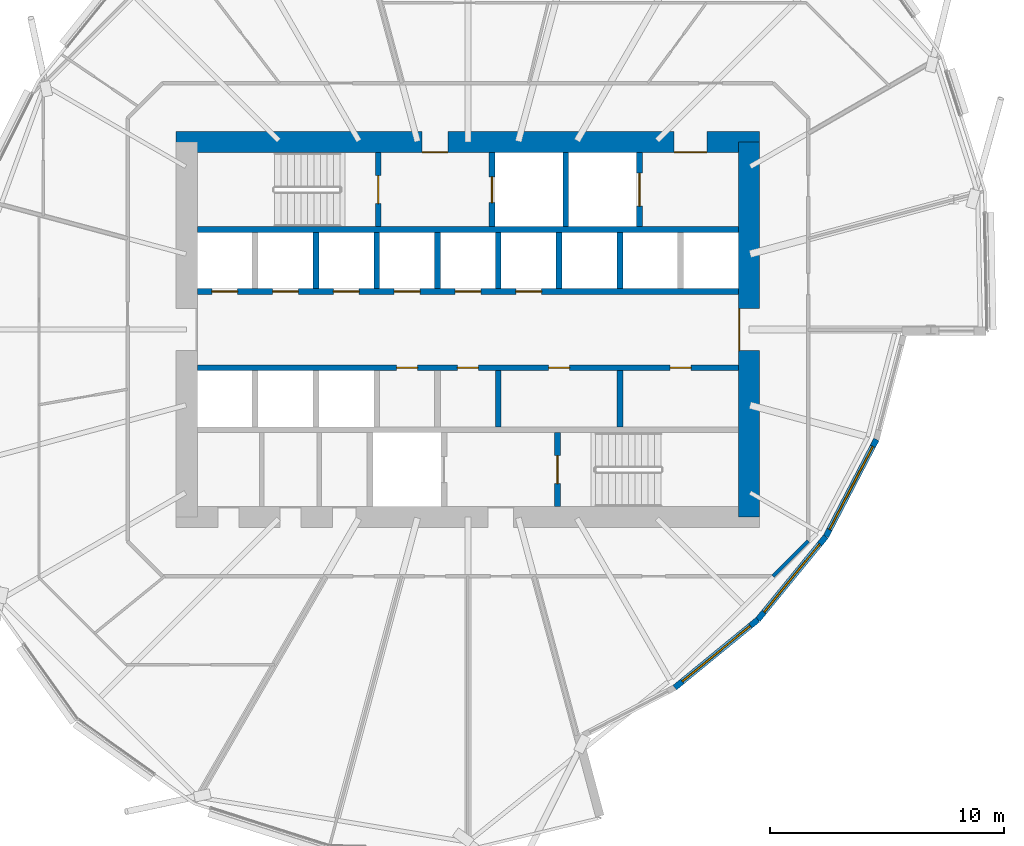
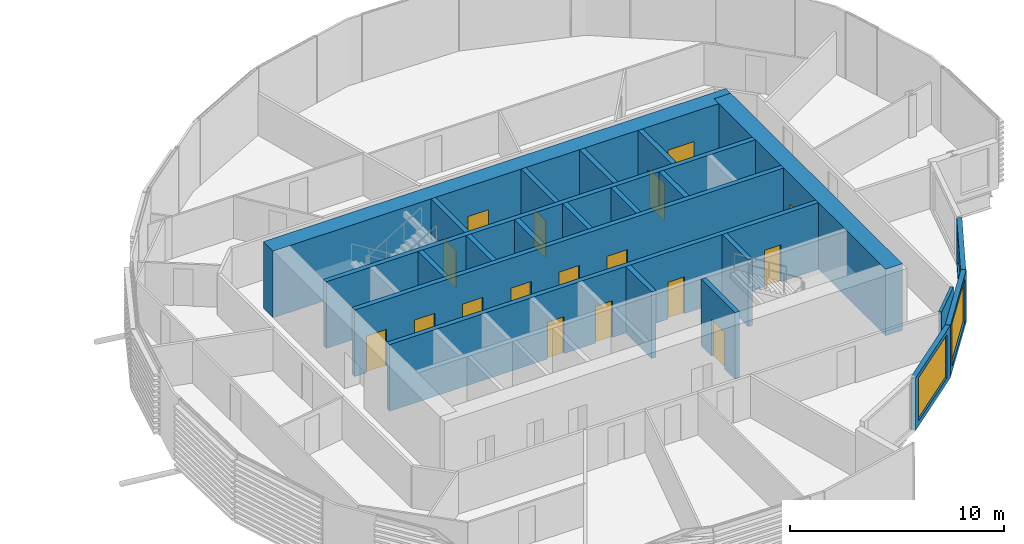
# One storey, part 24 of 38: 22 walls, 17 doors, 3 windows, 20 openings.
"""IFC4 building model written with IfcOpenShell, lengths in metres."""

from ifc_helpers import new_model, si_unit, direction, frame, frame_2d, origin, place, context, subcontext, project, spatial, rectangle, extrude, material, layer, layer_set, type_object, element, fill, save


model = new_model("IFC4")

# Units and contexts
model_context = context("Model", 3, precision=1e-05, world=origin(), true_north=direction((0.0, 1.0)))
body_context = subcontext(model_context, "Body", "Model", "MODEL_VIEW")
ifc_project = project(units=[si_unit("LENGTHUNIT", "METRE"), si_unit("AREAUNIT", "SQUARE_METRE"), si_unit("VOLUMEUNIT", "CUBIC_METRE"), si_unit("PLANEANGLEUNIT", "RADIAN"), si_unit("MASSUNIT", "GRAM", prefix="KILO")], contexts=[model_context])

# Site, building, storey
site_placement = place(None, origin())
site = spatial("IfcSite", under=ifc_project, at=site_placement, CompositionType="ELEMENT")
building_placement = place(site_placement, origin())
building = spatial("IfcBuilding", under=site, at=building_placement, Name="Rimbun Link Towers", CompositionType="ELEMENT")
storey_placement = place(building_placement, frame((0.0, 0.0, 71.800048828125)))
storey = spatial("IfcBuildingStorey", under=building, at=storey_placement, Name="L17", CompositionType="ELEMENT", Elevation=71.800048828125)

# Wall, opening, window
ifc_material_1 = material(Name="Dark enamelled glass spandrel on insulated aluminium backpan", Category="aluminium")
ifc_layer_1 = layer(ifc_material_1, 0.25)
ifc_layer_set_1 = layer_set([ifc_layer_1], Name="CS dark enamelled spandrel wall 250")
wall_type_1 = type_object("IfcWallType", Name="CS dark enamelled spandrel wall 250", PredefinedType="STANDARD", material=ifc_layer_set_1)
wall_1_placement = place(storey_placement, frame((44.126220703125, -12.376220703125, 0.0), z_axis=(0.0, 0.0, 1.0), x_axis=(-0.773897956984, -0.633310312703, 0.0)))
wall_1 = element("IfcWall", 1, at=wall_1_placement, inside=storey, type_object=wall_type_1, Name="Crease spandrel wall", PredefinedType="STANDARD", context=body_context, shape_type="SweptSolid", body=[
    extrude(rectangle(XDim=4.582763671875, YDim=0.25, at=frame_2d((2.29150390625, 0.0))), origin(), (0.0, 0.0, 1.0), 2.9873046875),
])
opening_1_placement = place(wall_1_placement, frame((0.416259765625, 0.0, 0.300048828125)))
opening_1 = element("IfcOpeningElement", 2, at=opening_1_placement, cuts=wall_1, Name="Opening WR38H245", PredefinedType="OPENING", context=body_context, shape_type="SweptSolid", body=[
    extrude(rectangle(XDim=3.75, YDim=2.449951171875, at=frame_2d((1.875, 1.22509765625))), frame((0.0, 0.135009765625, 0.0), z_axis=(0.0, -1.0, 0.0), x_axis=(1.0, 0.0, 0.0)), (0.0, 0.0, 1.0), 0.27001953125),
])
ifc_material_2 = material(Name="Aluminium framed fixed window, dark tinted low-e glass", Category="aluminium")
window_type_1 = type_object("IfcWindowType", Name="WR ribbon window 3750X2450", PartitioningType="SINGLE_PANEL", PredefinedType="WINDOW", material=ifc_material_2)
window_1_placement = place(opening_1_placement, origin())
window_1 = element("IfcWindow", 3, at=window_1_placement, inside=storey, type_object=window_type_1, Name="Crease ribbon window", OverallHeight=2.449951171875, OverallWidth=3.75, PartitioningType="SINGLE_PANEL", PredefinedType="WINDOW", context=body_context, shape_type="SweptSolid", body=[
    extrude(rectangle(XDim=3.75, YDim=2.449951171875, at=frame_2d((1.875, 1.22509765625))), frame((0.0, 0.030029296875, 0.0), z_axis=(0.0, -1.0, 0.0), x_axis=(1.0, 0.0, 0.0)), (0.0, 0.0, 1.0), 0.06005859375),
])
fill(opening_1, window_1)

wall_2_placement = place(storey_placement, frame((47.028564453125, -8.82958984375, 0.0), z_axis=(0.0, 0.0, 1.0), x_axis=(-0.633310312703, -0.773897956984, 0.0)))
wall_2 = element("IfcWall", 4, at=wall_2_placement, inside=storey, type_object=wall_type_1, Name="Crease spandrel wall", PredefinedType="STANDARD", context=body_context, shape_type="SweptSolid", body=[
    extrude(rectangle(XDim=4.582763671875, YDim=0.25, at=frame_2d((2.29150390625, 0.0))), origin(), (0.0, 0.0, 1.0), 2.9873046875),
])
opening_2_placement = place(wall_2_placement, frame((0.416259765625, 0.0, 0.300048828125)))
opening_2 = element("IfcOpeningElement", 5, at=opening_2_placement, cuts=wall_2, Name="Opening WR38H245", PredefinedType="OPENING", context=body_context, shape_type="SweptSolid", body=[
    extrude(rectangle(XDim=3.75, YDim=2.449951171875, at=frame_2d((1.875, 1.22509765625))), frame((0.0, 0.135009765625, 0.0), z_axis=(0.0, -1.0, 0.0), x_axis=(1.0, 0.0, 0.0)), (0.0, 0.0, 1.0), 0.27001953125),
])
window_2_placement = place(opening_2_placement, origin())
window_2 = element("IfcWindow", 6, at=window_2_placement, inside=storey, type_object=window_type_1, Name="Crease ribbon window", OverallHeight=2.449951171875, OverallWidth=3.75, PartitioningType="SINGLE_PANEL", PredefinedType="WINDOW", context=body_context, shape_type="SweptSolid", body=[
    extrude(rectangle(XDim=3.75, YDim=2.449951171875, at=frame_2d((1.875, 1.22509765625))), frame((0.0, 0.030029296875, 0.0), z_axis=(0.0, -1.0, 0.0), x_axis=(1.0, 0.0, 0.0)), (0.0, 0.0, 1.0), 0.06005859375),
])
fill(opening_2, window_2)

wall_3_placement = place(storey_placement, frame((49.186279296875, -4.685791015625, 0.0), z_axis=(0.0, 0.0, 1.0), x_axis=(-0.461847922191, -0.886959129142, 0.0)))
wall_3 = element("IfcWall", 7, at=wall_3_placement, inside=storey, type_object=wall_type_1, Name="Crease spandrel wall", PredefinedType="STANDARD", context=body_context, shape_type="SweptSolid", body=[
    extrude(rectangle(XDim=4.671875, YDim=0.25, at=frame_2d((2.3359375, 0.0))), origin(), (0.0, 0.0, 1.0), 2.671630859375),
])
opening_3_placement = place(wall_3_placement, frame((0.3359375, 0.0, 0.300048828125)))
opening_3 = element("IfcOpeningElement", 8, at=opening_3_placement, cuts=wall_3, Name="Opening WR40H220", PredefinedType="OPENING", context=body_context, shape_type="SweptSolid", body=[
    extrude(rectangle(XDim=4.0, YDim=2.199951171875, at=frame_2d((2.0, 1.10009765625))), frame((0.0, 0.135009765625, 0.0), z_axis=(0.0, -1.0, 0.0), x_axis=(1.0, 0.0, 0.0)), (0.0, 0.0, 1.0), 0.27001953125),
])
ifc_material_3 = material(Name="Aluminium framed fixed window, dark tinted low-e glass", Category="aluminium")
window_type_2 = type_object("IfcWindowType", Name="WR ribbon window 4000X2200", PartitioningType="SINGLE_PANEL", PredefinedType="WINDOW", material=ifc_material_3)
window_3_placement = place(opening_3_placement, origin())
window_3 = element("IfcWindow", 9, at=window_3_placement, inside=storey, type_object=window_type_2, Name="Crease ribbon window", OverallHeight=2.199951171875, OverallWidth=4.0, PartitioningType="SINGLE_PANEL", PredefinedType="WINDOW", context=body_context, shape_type="SweptSolid", body=[
    extrude(rectangle(XDim=4.0, YDim=2.199951171875, at=frame_2d((2.0, 1.10009765625))), frame((0.0, 0.030029296875, 0.0), z_axis=(0.0, -1.0, 0.0), x_axis=(1.0, 0.0, 0.0)), (0.0, 0.0, 1.0), 0.06005859375),
])
fill(opening_3, window_3)

# Wall, openings, doors
ifc_material_4 = material(Name="Concrete C60/75", Category="concrete")
ifc_layer_2 = layer(ifc_material_4, 0.89990234375)
ifc_layer_set_2 = layer_set([ifc_layer_2], Name="Core shear wall 900")
wall_type_2 = type_object("IfcWallType", Name="Core shear wall 900", PredefinedType="SHEAR", material=ifc_layer_set_2)
wall_4_placement = place(storey_placement, frame((19.300048828125, 8.0, 0.0), z_axis=(0.0, 0.0, 1.0), x_axis=(1.0, 0.0, 0.0)))
wall_4 = element("IfcWall", 10, at=wall_4_placement, inside=storey, type_object=wall_type_2, Name="L17 T2 core wall N", PredefinedType="SHEAR", context=body_context, shape_type="SweptSolid", body=[
    extrude(rectangle(XDim=24.89990234375, YDim=0.89990234375, at=frame_2d((12.449951171875, 0.0))), origin(), (0.0, 0.0, 1.0), 3.800048828125),
])
opening_4_placement = place(wall_4_placement, frame((10.5, 0.0, 0.0)))
opening_4 = element("IfcOpeningElement", 11, at=opening_4_placement, cuts=wall_4, Name="Opening C2DCF01N", PredefinedType="OPENING", context=body_context, shape_type="SweptSolid", body=[
    extrude(rectangle(XDim=1.10009765625, YDim=2.10009765625, at=frame_2d((0.550048828125, 1.050048828125))), frame((0.0, 0.4599609375, 0.0), z_axis=(0.0, -1.0, 0.0), x_axis=(1.0, 0.0, 0.0)), (0.0, 0.0, 1.0), 0.919921875),
])
opening_5_placement = place(wall_4_placement, frame((21.25, 0.0, 0.0)))
opening_5 = element("IfcOpeningElement", 12, at=opening_5_placement, cuts=wall_4, Name="Opening C2DSL02N", PredefinedType="OPENING", context=body_context, shape_type="SweptSolid", body=[
    extrude(rectangle(XDim=1.39990234375, YDim=2.10009765625, at=frame_2d((0.699951171875, 1.050048828125))), frame((0.0, 0.4599609375, 0.0), z_axis=(0.0, -1.0, 0.0), x_axis=(1.0, 0.0, 0.0)), (0.0, 0.0, 1.0), 0.919921875),
])
ifc_material_5 = material(Name="Steel fire door set", Category="steel")
door_type_1 = type_object("IfcDoorType", Name="Core fire door single", OperationType="SINGLE_SWING_LEFT", PredefinedType="DOOR", material=ifc_material_5)
door_1_placement = place(opening_4_placement, origin())
door_1 = element("IfcDoor", 13, at=door_1_placement, inside=storey, type_object=door_type_1, Name="L17 T2 firefighting lobby n door", OperationType="SINGLE_SWING_LEFT", OverallHeight=2.10009765625, OverallWidth=1.10009765625, PredefinedType="DOOR", context=body_context, shape_type="SweptSolid", body=[
    extrude(rectangle(XDim=1.10009765625, YDim=2.10009765625, at=frame_2d((0.550048828125, 1.050048828125))), frame((0.0, -0.39990234375, 0.0), z_axis=(0.0, -1.0, 0.0), x_axis=(1.0, 0.0, 0.0)), (0.0, 0.0, 1.0), 0.050048828125),
])
fill(opening_4, door_1)
ifc_material_6 = material(Name="Steel fire door set", Category="steel")
door_type_2 = type_object("IfcDoorType", Name="Service lobby door double", OperationType="DOUBLE_DOOR_SINGLE_SWING", PredefinedType="DOOR", material=ifc_material_6)
door_2_placement = place(opening_5_placement, origin())
door_2 = element("IfcDoor", 14, at=door_2_placement, inside=storey, type_object=door_type_2, Name="L17 T2 service lobby door", OperationType="DOUBLE_DOOR_SINGLE_SWING", OverallHeight=2.10009765625, OverallWidth=1.39990234375, PredefinedType="DOOR", context=body_context, shape_type="SweptSolid", body=[
    extrude(rectangle(XDim=1.39990234375, YDim=2.10009765625, at=frame_2d((0.699951171875, 1.050048828125))), frame((0.0, -0.39990234375, 0.0), z_axis=(0.0, -1.0, 0.0), x_axis=(1.0, 0.0, 0.0)), (0.0, 0.0, 1.0), 0.050048828125),
])
fill(opening_5, door_2)

# Wall, opening, door
wall_5_placement = place(storey_placement, frame((43.75, -8.0, 0.0), z_axis=(0.0, 0.0, 1.0), x_axis=(0.0, 1.0, 0.0)))
wall_5 = element("IfcWall", 15, at=wall_5_placement, inside=storey, type_object=wall_type_2, Name="L17 T2 core wall E", PredefinedType="SHEAR", context=body_context, shape_type="SweptSolid", body=[
    extrude(rectangle(XDim=16.0, YDim=0.89990234375, at=frame_2d((8.0, 0.0))), origin(), (0.0, 0.0, 1.0), 3.800048828125),
])
opening_6_placement = place(wall_5_placement, frame((7.10009765625, 0.0, 0.0)))
opening_6 = element("IfcOpeningElement", 16, at=opening_6_placement, cuts=wall_5, Name="Opening C2DCL01E", PredefinedType="OPENING", context=body_context, shape_type="SweptSolid", body=[
    extrude(rectangle(XDim=1.800048828125, YDim=2.10009765625, at=frame_2d((0.89990234375, 1.050048828125))), frame((0.0, 0.4599609375, 0.0), z_axis=(0.0, -1.0, 0.0), x_axis=(1.0, 0.0, 0.0)), (0.0, 0.0, 1.0), 0.919921875),
])
ifc_material_7 = material(Name="Steel fire door set", Category="steel")
door_type_3 = type_object("IfcDoorType", Name="Core lobby door double", OperationType="DOUBLE_DOOR_SINGLE_SWING", PredefinedType="DOOR", material=ifc_material_7)
door_3_placement = place(opening_6_placement, origin())
door_3 = element("IfcDoor", 17, at=door_3_placement, inside=storey, type_object=door_type_3, Name="L17 T2 lift lobby door", OperationType="DOUBLE_DOOR_SINGLE_SWING", OverallHeight=2.10009765625, OverallWidth=1.800048828125, PredefinedType="DOOR", context=body_context, shape_type="SweptSolid", body=[
    extrude(rectangle(XDim=1.800048828125, YDim=2.10009765625, at=frame_2d((0.89990234375, 1.050048828125))), frame((0.0, 0.4501953125, 0.0), z_axis=(0.0, -1.0, 0.0), x_axis=(1.0, 0.0, 0.0)), (0.0, 0.0, 1.0), 0.050048828125),
])
fill(opening_6, door_3)

# Walls
ifc_material_8 = material(Name="Plasterboard on steel stud, mineral wool", Category="steel")
ifc_layer_3 = layer(ifc_material_8, 0.14990234375)
ifc_layer_set_3 = layer_set([ifc_layer_3], Name="Corridor wall EI 30 150 mm")
wall_type_3 = type_object("IfcWallType", Name="Corridor wall EI 30 150 mm", PredefinedType="PARTITIONING", material=ifc_layer_set_3)
wall_6_placement = place(storey_placement, frame((44.776611328125, -10.52490234375, 0.0), z_axis=(0.0, 0.0, 1.0), x_axis=(0.707106781187, 0.707106781187, 0.0)))
element("IfcWall", 18, at=wall_6_placement, inside=storey, type_object=wall_type_3, Name="Corridor wall EI 30 150 mm", PredefinedType="PARTITIONING", context=body_context, shape_type="SweptSolid", body=[
    extrude(rectangle(XDim=2.118896484375, YDim=0.14990234375, at=frame_2d((1.0595703125, 0.0))), origin(), (0.0, 0.0, 1.0), 2.3798828125),
])
ifc_material_9 = material(Name="Concrete C60/75", Category="concrete")
ifc_layer_4 = layer(ifc_material_9, 0.25)
ifc_layer_set_4 = layer_set([ifc_layer_4], Name="Shaft wall 250")
wall_type_4 = type_object("IfcWallType", Name="Shaft wall 250", PredefinedType="SHEAR", material=ifc_layer_set_4)
wall_7_placement = place(storey_placement, frame((20.199951171875, 4.27490234375, 0.0), z_axis=(0.0, 0.0, 1.0), x_axis=(1.0, 0.0, 0.0)))
element("IfcWall", 19, at=wall_7_placement, inside=storey, type_object=wall_type_4, Name="L17 T2 core wall BN", PredefinedType="SHEAR", context=body_context, shape_type="SweptSolid", body=[
    extrude(rectangle(XDim=23.10009765625, YDim=0.25, at=frame_2d((11.550048828125, 0.0))), origin(), (0.0, 0.0, 1.0), 3.800048828125),
])

# Wall, openings, doors
wall_8_placement = place(storey_placement, frame((20.199951171875, 1.625, 0.0), z_axis=(0.0, 0.0, 1.0), x_axis=(1.0, 0.0, 0.0)))
wall_8 = element("IfcWall", 20, at=wall_8_placement, inside=storey, type_object=wall_type_4, Name="L17 T2 core wall FN", PredefinedType="SHEAR", context=body_context, shape_type="SweptSolid", body=[
    extrude(rectangle(XDim=23.10009765625, YDim=0.25, at=frame_2d((11.550048828125, 0.0))), origin(), (0.0, 0.0, 1.0), 3.800048828125),
])
opening_7_placement = place(wall_8_placement, frame((0.622314453125, 0.0, 0.0)))
opening_7 = element("IfcOpeningElement", 21, at=opening_7_placement, cuts=wall_8, Name="Opening LD-T2-LR1", PredefinedType="OPENING", context=body_context, shape_type="SweptSolid", body=[
    extrude(rectangle(XDim=1.10009765625, YDim=2.10009765625, at=frame_2d((0.550048828125, 1.050048828125))), frame((0.0, 0.135009765625, 0.0), z_axis=(0.0, -1.0, 0.0), x_axis=(1.0, 0.0, 0.0)), (0.0, 0.0, 1.0), 0.27001953125),
])
opening_8_placement = place(wall_8_placement, frame((3.216796875, 0.0, 0.0)))
opening_8 = element("IfcOpeningElement", 22, at=opening_8_placement, cuts=wall_8, Name="Opening LD-T2-LR2", PredefinedType="OPENING", context=body_context, shape_type="SweptSolid", body=[
    extrude(rectangle(XDim=1.10009765625, YDim=2.10009765625, at=frame_2d((0.550048828125, 1.050048828125))), frame((0.0, 0.135009765625, 0.0), z_axis=(0.0, -1.0, 0.0), x_axis=(1.0, 0.0, 0.0)), (0.0, 0.0, 1.0), 0.27001953125),
])
opening_9_placement = place(wall_8_placement, frame((5.81103515625, 0.0, 0.0)))
opening_9 = element("IfcOpeningElement", 23, at=opening_9_placement, cuts=wall_8, Name="Opening LD-T2-LR3", PredefinedType="OPENING", context=body_context, shape_type="SweptSolid", body=[
    extrude(rectangle(XDim=1.10009765625, YDim=2.10009765625, at=frame_2d((0.550048828125, 1.050048828125))), frame((0.0, 0.135009765625, 0.0), z_axis=(0.0, -1.0, 0.0), x_axis=(1.0, 0.0, 0.0)), (0.0, 0.0, 1.0), 0.27001953125),
])
opening_10_placement = place(wall_8_placement, frame((8.405517578125, 0.0, 0.0)))
opening_10 = element("IfcOpeningElement", 24, at=opening_10_placement, cuts=wall_8, Name="Opening LD-T2-LR4", PredefinedType="OPENING", context=body_context, shape_type="SweptSolid", body=[
    extrude(rectangle(XDim=1.10009765625, YDim=2.10009765625, at=frame_2d((0.550048828125, 1.050048828125))), frame((0.0, 0.135009765625, 0.0), z_axis=(0.0, -1.0, 0.0), x_axis=(1.0, 0.0, 0.0)), (0.0, 0.0, 1.0), 0.27001953125),
])
opening_11_placement = place(wall_8_placement, frame((11.0, 0.0, 0.0)))
opening_11 = element("IfcOpeningElement", 25, at=opening_11_placement, cuts=wall_8, Name="Opening LD-T2-LR5", PredefinedType="OPENING", context=body_context, shape_type="SweptSolid", body=[
    extrude(rectangle(XDim=1.10009765625, YDim=2.10009765625, at=frame_2d((0.550048828125, 1.050048828125))), frame((0.0, 0.135009765625, 0.0), z_axis=(0.0, -1.0, 0.0), x_axis=(1.0, 0.0, 0.0)), (0.0, 0.0, 1.0), 0.27001953125),
])
opening_12_placement = place(wall_8_placement, frame((13.594482421875, 0.0, 0.0)))
opening_12 = element("IfcOpeningElement", 26, at=opening_12_placement, cuts=wall_8, Name="Opening LD-T2-LR6", PredefinedType="OPENING", context=body_context, shape_type="SweptSolid", body=[
    extrude(rectangle(XDim=1.10009765625, YDim=2.10009765625, at=frame_2d((0.550048828125, 1.050048828125))), frame((0.0, 0.135009765625, 0.0), z_axis=(0.0, -1.0, 0.0), x_axis=(1.0, 0.0, 0.0)), (0.0, 0.0, 1.0), 0.27001953125),
])
ifc_material_10 = material(Name="Stainless steel grade 316", Category="steel")
door_type_4 = type_object("IfcDoorType", Name="Lift landing door", OperationType="DOUBLE_DOOR_SLIDING", PredefinedType="DOOR", material=ifc_material_10)
door_4_placement = place(opening_7_placement, origin())
door_4 = element("IfcDoor", 27, at=door_4_placement, inside=storey, type_object=door_type_4, Name="L17 T2 lift LR1 landing door", OperationType="DOUBLE_DOOR_SLIDING", OverallHeight=2.10009765625, OverallWidth=1.10009765625, PredefinedType="DOOR", context=body_context, shape_type="SweptSolid", body=[
    extrude(rectangle(XDim=1.10009765625, YDim=2.10009765625, at=frame_2d((0.550048828125, 1.050048828125))), frame((0.0, 0.02490234375, 0.0), z_axis=(0.0, -1.0, 0.0), x_axis=(1.0, 0.0, 0.0)), (0.0, 0.0, 1.0), 0.050048828125),
])
fill(opening_7, door_4)
door_5_placement = place(opening_8_placement, origin())
door_5 = element("IfcDoor", 28, at=door_5_placement, inside=storey, type_object=door_type_4, Name="L17 T2 lift LR2 landing door", OperationType="DOUBLE_DOOR_SLIDING", OverallHeight=2.10009765625, OverallWidth=1.10009765625, PredefinedType="DOOR", context=body_context, shape_type="SweptSolid", body=[
    extrude(rectangle(XDim=1.10009765625, YDim=2.10009765625, at=frame_2d((0.550048828125, 1.050048828125))), frame((0.0, 0.02490234375, 0.0), z_axis=(0.0, -1.0, 0.0), x_axis=(1.0, 0.0, 0.0)), (0.0, 0.0, 1.0), 0.050048828125),
])
fill(opening_8, door_5)
door_6_placement = place(opening_9_placement, origin())
door_6 = element("IfcDoor", 29, at=door_6_placement, inside=storey, type_object=door_type_4, Name="L17 T2 lift LR3 landing door", OperationType="DOUBLE_DOOR_SLIDING", OverallHeight=2.10009765625, OverallWidth=1.10009765625, PredefinedType="DOOR", context=body_context, shape_type="SweptSolid", body=[
    extrude(rectangle(XDim=1.10009765625, YDim=2.10009765625, at=frame_2d((0.550048828125, 1.050048828125))), frame((0.0, 0.02490234375, 0.0), z_axis=(0.0, -1.0, 0.0), x_axis=(1.0, 0.0, 0.0)), (0.0, 0.0, 1.0), 0.050048828125),
])
fill(opening_9, door_6)
door_7_placement = place(opening_10_placement, origin())
door_7 = element("IfcDoor", 30, at=door_7_placement, inside=storey, type_object=door_type_4, Name="L17 T2 lift LR4 landing door", OperationType="DOUBLE_DOOR_SLIDING", OverallHeight=2.10009765625, OverallWidth=1.10009765625, PredefinedType="DOOR", context=body_context, shape_type="SweptSolid", body=[
    extrude(rectangle(XDim=1.10009765625, YDim=2.10009765625, at=frame_2d((0.550048828125, 1.050048828125))), frame((0.0, 0.02490234375, 0.0), z_axis=(0.0, -1.0, 0.0), x_axis=(1.0, 0.0, 0.0)), (0.0, 0.0, 1.0), 0.050048828125),
])
fill(opening_10, door_7)
door_8_placement = place(opening_11_placement, origin())
door_8 = element("IfcDoor", 31, at=door_8_placement, inside=storey, type_object=door_type_4, Name="L17 T2 lift LR5 landing door", OperationType="DOUBLE_DOOR_SLIDING", OverallHeight=2.10009765625, OverallWidth=1.10009765625, PredefinedType="DOOR", context=body_context, shape_type="SweptSolid", body=[
    extrude(rectangle(XDim=1.10009765625, YDim=2.10009765625, at=frame_2d((0.550048828125, 1.050048828125))), frame((0.0, 0.02490234375, 0.0), z_axis=(0.0, -1.0, 0.0), x_axis=(1.0, 0.0, 0.0)), (0.0, 0.0, 1.0), 0.050048828125),
])
fill(opening_11, door_8)
door_9_placement = place(opening_12_placement, origin())
door_9 = element("IfcDoor", 32, at=door_9_placement, inside=storey, type_object=door_type_4, Name="L17 T2 lift LR6 landing door", OperationType="DOUBLE_DOOR_SLIDING", OverallHeight=2.10009765625, OverallWidth=1.10009765625, PredefinedType="DOOR", context=body_context, shape_type="SweptSolid", body=[
    extrude(rectangle(XDim=1.10009765625, YDim=2.10009765625, at=frame_2d((0.550048828125, 1.050048828125))), frame((0.0, 0.02490234375, 0.0), z_axis=(0.0, -1.0, 0.0), x_axis=(1.0, 0.0, 0.0)), (0.0, 0.0, 1.0), 0.050048828125),
])
fill(opening_12, door_9)

wall_9_placement = place(storey_placement, frame((20.199951171875, -1.625, 0.0), z_axis=(0.0, 0.0, 1.0), x_axis=(1.0, 0.0, 0.0)))
wall_9 = element("IfcWall", 33, at=wall_9_placement, inside=storey, type_object=wall_type_4, Name="L17 T2 core wall FS", PredefinedType="SHEAR", context=body_context, shape_type="SweptSolid", body=[
    extrude(rectangle(XDim=23.10009765625, YDim=0.25, at=frame_2d((11.550048828125, 0.0))), origin(), (0.0, 0.0, 1.0), 3.800048828125),
])
opening_13_placement = place(wall_9_placement, frame((8.505615234375, 0.0, 0.0)))
opening_13 = element("IfcOpeningElement", 34, at=opening_13_placement, cuts=wall_9, Name="Opening C2DRS01FS", PredefinedType="OPENING", context=body_context, shape_type="SweptSolid", body=[
    extrude(rectangle(XDim=0.89990234375, YDim=2.10009765625, at=frame_2d((0.449951171875, 1.050048828125))), frame((0.0, 0.135009765625, 0.0), z_axis=(0.0, -1.0, 0.0), x_axis=(1.0, 0.0, 0.0)), (0.0, 0.0, 1.0), 0.27001953125),
])
opening_14_placement = place(wall_9_placement, frame((11.10009765625, 0.0, 0.0)))
opening_14 = element("IfcOpeningElement", 35, at=opening_14_placement, cuts=wall_9, Name="Opening C2DRS02FS", PredefinedType="OPENING", context=body_context, shape_type="SweptSolid", body=[
    extrude(rectangle(XDim=0.89990234375, YDim=2.10009765625, at=frame_2d((0.449951171875, 1.050048828125))), frame((0.0, 0.135009765625, 0.0), z_axis=(0.0, -1.0, 0.0), x_axis=(1.0, 0.0, 0.0)), (0.0, 0.0, 1.0), 0.27001953125),
])
opening_15_placement = place(wall_9_placement, frame((14.99169921875, 0.0, 0.0)))
opening_15 = element("IfcOpeningElement", 36, at=opening_15_placement, cuts=wall_9, Name="Opening C2DRS03FS", PredefinedType="OPENING", context=body_context, shape_type="SweptSolid", body=[
    extrude(rectangle(XDim=0.89990234375, YDim=2.10009765625, at=frame_2d((0.449951171875, 1.050048828125))), frame((0.0, 0.135009765625, 0.0), z_axis=(0.0, -1.0, 0.0), x_axis=(1.0, 0.0, 0.0)), (0.0, 0.0, 1.0), 0.27001953125),
])
opening_16_placement = place(wall_9_placement, frame((20.1806640625, 0.0, 0.0)))
opening_16 = element("IfcOpeningElement", 37, at=opening_16_placement, cuts=wall_9, Name="Opening C2DRS04FS", PredefinedType="OPENING", context=body_context, shape_type="SweptSolid", body=[
    extrude(rectangle(XDim=0.89990234375, YDim=2.10009765625, at=frame_2d((0.449951171875, 1.050048828125))), frame((0.0, 0.135009765625, 0.0), z_axis=(0.0, -1.0, 0.0), x_axis=(1.0, 0.0, 0.0)), (0.0, 0.0, 1.0), 0.27001953125),
])
ifc_material_11 = material(Name="Steel fire door set", Category="steel")
door_type_5 = type_object("IfcDoorType", Name="Core riser door", OperationType="SINGLE_SWING_LEFT", PredefinedType="DOOR", material=ifc_material_11)
door_10_placement = place(opening_13_placement, origin())
door_10 = element("IfcDoor", 38, at=door_10_placement, inside=storey, type_object=door_type_5, Name="L17 T2 pantry door", OperationType="SINGLE_SWING_LEFT", OverallHeight=2.10009765625, OverallWidth=0.89990234375, PredefinedType="DOOR", context=body_context, shape_type="SweptSolid", body=[
    extrude(rectangle(XDim=0.89990234375, YDim=2.10009765625, at=frame_2d((0.449951171875, 1.050048828125))), frame((0.0, 0.02490234375, 0.0), z_axis=(0.0, -1.0, 0.0), x_axis=(1.0, 0.0, 0.0)), (0.0, 0.0, 1.0), 0.050048828125),
])
fill(opening_13, door_10)
door_11_placement = place(opening_14_placement, origin())
door_11 = element("IfcDoor", 39, at=door_11_placement, inside=storey, type_object=door_type_5, Name="L17 T2 stationery store door", OperationType="SINGLE_SWING_LEFT", OverallHeight=2.10009765625, OverallWidth=0.89990234375, PredefinedType="DOOR", context=body_context, shape_type="SweptSolid", body=[
    extrude(rectangle(XDim=0.89990234375, YDim=2.10009765625, at=frame_2d((0.449951171875, 1.050048828125))), frame((0.0, 0.02490234375, 0.0), z_axis=(0.0, -1.0, 0.0), x_axis=(1.0, 0.0, 0.0)), (0.0, 0.0, 1.0), 0.050048828125),
])
fill(opening_14, door_11)
door_12_placement = place(opening_15_placement, origin())
door_12 = element("IfcDoor", 40, at=door_12_placement, inside=storey, type_object=door_type_5, Name="L17 T2 server room door", OperationType="SINGLE_SWING_LEFT", OverallHeight=2.10009765625, OverallWidth=0.89990234375, PredefinedType="DOOR", context=body_context, shape_type="SweptSolid", body=[
    extrude(rectangle(XDim=0.89990234375, YDim=2.10009765625, at=frame_2d((0.449951171875, 1.050048828125))), frame((0.0, 0.02490234375, 0.0), z_axis=(0.0, -1.0, 0.0), x_axis=(1.0, 0.0, 0.0)), (0.0, 0.0, 1.0), 0.050048828125),
])
fill(opening_15, door_12)
door_13_placement = place(opening_16_placement, origin())
door_13 = element("IfcDoor", 41, at=door_13_placement, inside=storey, type_object=door_type_5, Name="L17 T2 print room door", OperationType="SINGLE_SWING_RIGHT", OverallHeight=2.10009765625, OverallWidth=0.89990234375, PredefinedType="DOOR", context=body_context, shape_type="SweptSolid", body=[
    extrude(rectangle(XDim=0.89990234375, YDim=2.10009765625, at=frame_2d((0.449951171875, 1.050048828125))), frame((0.0, 0.02490234375, 0.0), z_axis=(0.0, -1.0, 0.0), x_axis=(1.0, 0.0, 0.0)), (0.0, 0.0, 1.0), 0.050048828125),
])
fill(opening_16, door_13)

# Walls
for number, where, z_axis, x_axis, name in (
    (42, (25.263916015625, 1.75, 0.0), (0.0, 0.0, 1.0), (0.0, 1.0, 0.0), "L17 T2 core wall DN1"),
    (43, (27.8583984375, 1.75, 0.0), (0.0, 0.0, 1.0), (0.0, 1.0, 0.0), "L17 T2 core wall DN2"),
    (44, (30.452880859375, 1.75, 0.0), (0.0, 0.0, 1.0), (0.0, 1.0, 0.0), "L17 T2 core wall DN3"),
    (45, (33.047119140625, 1.75, 0.0), (0.0, 0.0, 1.0), (0.0, 1.0, 0.0), "L17 T2 core wall DN4"),
    (46, (35.6416015625, 1.75, 0.0), (0.0, 0.0, 1.0), (0.0, 1.0, 0.0), "L17 T2 core wall DN5"),
    (47, (38.236083984375, 1.75, 0.0), (0.0, 0.0, 1.0), (0.0, 1.0, 0.0), "L17 T2 core wall DN6"),
    (48, (33.047119140625, -4.14990234375, 0.0), (0.0, 0.0, 1.0), (0.0, 1.0, 0.0), "L17 T2 core wall DS4"),
    (49, (38.236083984375, -4.14990234375, 0.0), (0.0, 0.0, 1.0), (0.0, 1.0, 0.0), "L17 T2 core wall DS6"),
):
    element("IfcWall", number, at=place(storey_placement, frame(where, z_axis=z_axis, x_axis=x_axis)), inside=storey, type_object=wall_type_4, Name=name, PredefinedType="SHEAR", context=body_context, shape_type="SweptSolid", body=[
        extrude(rectangle(XDim=2.39990234375, YDim=0.25, at=frame_2d((1.199951171875, 0.0))), origin(), (0.0, 0.0, 1.0), 3.800048828125),
    ])

# Wall, opening, door
wall_10_placement = place(storey_placement, frame((27.925048828125, 4.39990234375, 0.0), z_axis=(0.0, 0.0, 1.0), x_axis=(0.0, 1.0, 0.0)))
wall_10 = element("IfcWall", 50, at=wall_10_placement, inside=storey, type_object=wall_type_4, Name="L17 T2 core wall A1", PredefinedType="SHEAR", context=body_context, shape_type="SweptSolid", body=[
    extrude(rectangle(XDim=3.150146484375, YDim=0.25, at=frame_2d((1.5751953125, 0.0))), origin(), (0.0, 0.0, 1.0), 3.800048828125),
])
opening_17_placement = place(wall_10_placement, frame((0.97509765625, 0.0, 0.0)))
opening_17 = element("IfcOpeningElement", 51, at=opening_17_placement, cuts=wall_10, Name="Opening C2DST01A1", PredefinedType="OPENING", context=body_context, shape_type="SweptSolid", body=[
    extrude(rectangle(XDim=1.199951171875, YDim=2.10009765625, at=frame_2d((0.60009765625, 1.050048828125))), frame((0.0, 0.135009765625, 0.0), z_axis=(0.0, -1.0, 0.0), x_axis=(1.0, 0.0, 0.0)), (0.0, 0.0, 1.0), 0.27001953125),
])
ifc_material_12 = material(Name="Steel fire door set", Category="steel")
door_type_6 = type_object("IfcDoorType", Name="Stair door", OperationType="SINGLE_SWING_LEFT", PredefinedType="DOOR", material=ifc_material_12)
door_14_placement = place(opening_17_placement, origin())
door_14 = element("IfcDoor", 52, at=door_14_placement, inside=storey, type_object=door_type_6, Name="L17 T2 stair a door", OperationType="SINGLE_SWING_RIGHT", OverallHeight=2.10009765625, OverallWidth=1.199951171875, PredefinedType="DOOR", context=body_context, shape_type="SweptSolid", body=[
    extrude(rectangle(XDim=1.199951171875, YDim=2.10009765625, at=frame_2d((0.60009765625, 1.050048828125))), frame((0.0, 0.02490234375, 0.0), z_axis=(0.0, -1.0, 0.0), x_axis=(1.0, 0.0, 0.0)), (0.0, 0.0, 1.0), 0.050048828125),
])
fill(opening_17, door_14)

wall_11_placement = place(storey_placement, frame((32.77490234375, 4.39990234375, 0.0), z_axis=(0.0, 0.0, 1.0), x_axis=(0.0, 1.0, 0.0)))
wall_11 = element("IfcWall", 53, at=wall_11_placement, inside=storey, type_object=wall_type_4, Name="L17 T2 core wall A2", PredefinedType="SHEAR", context=body_context, shape_type="SweptSolid", body=[
    extrude(rectangle(XDim=3.150146484375, YDim=0.25, at=frame_2d((1.5751953125, 0.0))), origin(), (0.0, 0.0, 1.0), 3.800048828125),
])
opening_18_placement = place(wall_11_placement, frame((1.02490234375, 0.0, 0.0)))
opening_18 = element("IfcOpeningElement", 54, at=opening_18_placement, cuts=wall_11, Name="Opening LD-T2-FF1", PredefinedType="OPENING", context=body_context, shape_type="SweptSolid", body=[
    extrude(rectangle(XDim=1.10009765625, YDim=2.10009765625, at=frame_2d((0.550048828125, 1.050048828125))), frame((0.0, 0.135009765625, 0.0), z_axis=(0.0, -1.0, 0.0), x_axis=(1.0, 0.0, 0.0)), (0.0, 0.0, 1.0), 0.27001953125),
])
door_15_placement = place(opening_18_placement, origin())
door_15 = element("IfcDoor", 55, at=door_15_placement, inside=storey, type_object=door_type_4, Name="L17 T2 lift FF1 landing door", OperationType="DOUBLE_DOOR_SLIDING", OverallHeight=2.10009765625, OverallWidth=1.10009765625, PredefinedType="DOOR", context=body_context, shape_type="SweptSolid", body=[
    extrude(rectangle(XDim=1.10009765625, YDim=2.10009765625, at=frame_2d((0.550048828125, 1.050048828125))), frame((0.0, 0.02490234375, 0.0), z_axis=(0.0, -1.0, 0.0), x_axis=(1.0, 0.0, 0.0)), (0.0, 0.0, 1.0), 0.050048828125),
])
fill(opening_18, door_15)

# Wall
wall_12_placement = place(storey_placement, frame((35.925048828125, 4.39990234375, 0.0), z_axis=(0.0, 0.0, 1.0), x_axis=(0.0, 1.0, 0.0)))
element("IfcWall", 56, at=wall_12_placement, inside=storey, type_object=wall_type_4, Name="L17 T2 core wall A3", PredefinedType="SHEAR", context=body_context, shape_type="SweptSolid", body=[
    extrude(rectangle(XDim=3.150146484375, YDim=0.25, at=frame_2d((1.5751953125, 0.0))), origin(), (0.0, 0.0, 1.0), 3.800048828125),
])

# Wall, opening, door
wall_13_placement = place(storey_placement, frame((39.074951171875, 4.39990234375, 0.0), z_axis=(0.0, 0.0, 1.0), x_axis=(0.0, 1.0, 0.0)))
wall_13 = element("IfcWall", 57, at=wall_13_placement, inside=storey, type_object=wall_type_4, Name="L17 T2 core wall A4", PredefinedType="SHEAR", context=body_context, shape_type="SweptSolid", body=[
    extrude(rectangle(XDim=3.150146484375, YDim=0.25, at=frame_2d((1.5751953125, 0.0))), origin(), (0.0, 0.0, 1.0), 3.800048828125),
])
opening_19_placement = place(wall_13_placement, frame((0.875, 0.0, 0.0)))
opening_19 = element("IfcOpeningElement", 58, at=opening_19_placement, cuts=wall_13, Name="Opening LD-T2-GL1", PredefinedType="OPENING", context=body_context, shape_type="SweptSolid", body=[
    extrude(rectangle(XDim=1.39990234375, YDim=2.10009765625, at=frame_2d((0.699951171875, 1.050048828125))), frame((0.0, 0.135009765625, 0.0), z_axis=(0.0, -1.0, 0.0), x_axis=(1.0, 0.0, 0.0)), (0.0, 0.0, 1.0), 0.27001953125),
])
ifc_material_13 = material(Name="Stainless steel grade 316", Category="steel")
door_type_7 = type_object("IfcDoorType", Name="Goods lift landing door", OperationType="DOUBLE_DOOR_SLIDING", PredefinedType="DOOR", material=ifc_material_13)
door_16_placement = place(opening_19_placement, origin())
door_16 = element("IfcDoor", 59, at=door_16_placement, inside=storey, type_object=door_type_7, Name="L17 T2 lift GL1 landing door", OperationType="DOUBLE_DOOR_SLIDING", OverallHeight=2.10009765625, OverallWidth=1.39990234375, PredefinedType="DOOR", context=body_context, shape_type="SweptSolid", body=[
    extrude(rectangle(XDim=1.39990234375, YDim=2.10009765625, at=frame_2d((0.699951171875, 1.050048828125))), frame((0.0, 0.02490234375, 0.0), z_axis=(0.0, -1.0, 0.0), x_axis=(1.0, 0.0, 0.0)), (0.0, 0.0, 1.0), 0.050048828125),
])
fill(opening_19, door_16)

wall_14_placement = place(storey_placement, frame((35.574951171875, -4.39990234375, 0.0), z_axis=(0.0, 0.0, 1.0), x_axis=(0.0, -1.0, 0.0)))
wall_14 = element("IfcWall", 60, at=wall_14_placement, inside=storey, type_object=wall_type_4, Name="L17 T2 core wall B1", PredefinedType="SHEAR", context=body_context, shape_type="SweptSolid", body=[
    extrude(rectangle(XDim=3.150146484375, YDim=0.25, at=frame_2d((1.5751953125, 0.0))), origin(), (0.0, 0.0, 1.0), 3.800048828125),
])
opening_20_placement = place(wall_14_placement, frame((0.97509765625, 0.0, 0.0)))
opening_20 = element("IfcOpeningElement", 61, at=opening_20_placement, cuts=wall_14, Name="Opening C2DST01B1", PredefinedType="OPENING", context=body_context, shape_type="SweptSolid", body=[
    extrude(rectangle(XDim=1.199951171875, YDim=2.10009765625, at=frame_2d((0.60009765625, 1.050048828125))), frame((0.0, 0.135009765625, 0.0), z_axis=(0.0, -1.0, 0.0), x_axis=(1.0, 0.0, 0.0)), (0.0, 0.0, 1.0), 0.27001953125),
])
door_17_placement = place(opening_20_placement, origin())
door_17 = element("IfcDoor", 62, at=door_17_placement, inside=storey, type_object=door_type_6, Name="L17 T2 stair b door", OperationType="SINGLE_SWING_RIGHT", OverallHeight=2.10009765625, OverallWidth=1.199951171875, PredefinedType="DOOR", context=body_context, shape_type="SweptSolid", body=[
    extrude(rectangle(XDim=1.199951171875, YDim=2.10009765625, at=frame_2d((0.60009765625, 1.050048828125))), frame((0.0, 0.02490234375, 0.0), z_axis=(0.0, -1.0, 0.0), x_axis=(1.0, 0.0, 0.0)), (0.0, 0.0, 1.0), 0.050048828125),
])
fill(opening_20, door_17)

save(model, "model.ifc")
